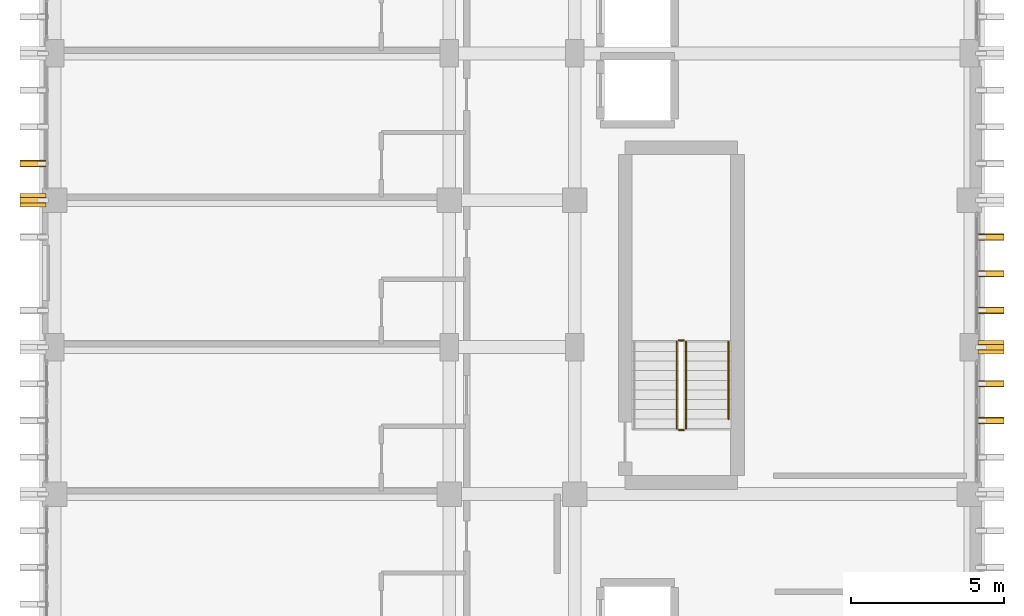
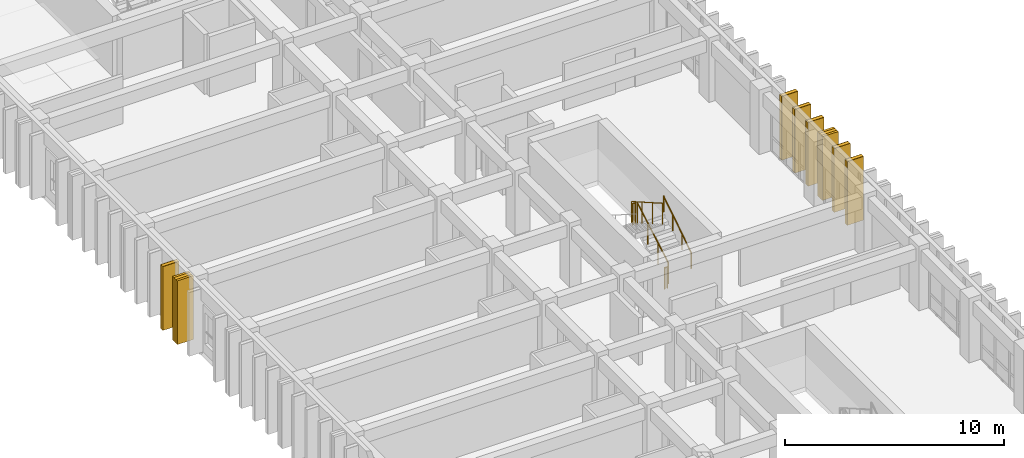
# One storey, part 75 of 82: 8 coverings, 8 shading devices, 5 railings.
"""IFC4 building model written with IfcOpenShell, lengths in metres."""

import ifcopenshell
import ifcopenshell.guid

model = None  # the IFC model being written
_history = None  # IfcOwnerHistory: only IFC2X3 demands one
_inside = {}  # id of a spatial element -> (the spatial element, [elements in it])
_under = {}  # id of a project, library or spatial element -> (it, [spatial elements below it])
_declared = {}  # id of a project -> (the project, [libraries it declares])
_typed = {}  # id of a type object -> (the type object, [elements of that type])
_made_of = {}  # id of a material, layer set ... -> (it, [elements and type objects made of it])


def new_model(schema):
    """Start an empty IFC model of exactly this schema.

    Asked for "IFC4X3", IfcOpenShell would pick the latest addendum, in which some entities
    have other attributes; the version numbers below select the first issue.
    IFC2X3 requires an IfcOwnerHistory on every rooted entity: one is made here for all.
    """
    global model, _history
    if schema == "IFC4X3":
        model = ifcopenshell.file(schema_version=(4, 3, 0, 0))
    else:
        model = ifcopenshell.file(schema=schema)
    _inside.clear()
    _under.clear()
    _declared.clear()
    _typed.clear()
    _made_of.clear()
    _history = None
    if model.schema == "IFC2X3":
        org = make("IfcOrganization", Name="unknown")
        user = make(
            "IfcPersonAndOrganization",
            ThePerson=make("IfcPerson", FamilyName="unknown"),
            TheOrganization=org,
        )
        app = make(
            "IfcApplication",
            ApplicationDeveloper=org,
            Version="unknown",
            ApplicationFullName="unknown",
            ApplicationIdentifier="unknown",
        )
        _history = make(
            "IfcOwnerHistory",
            OwningUser=user,
            OwningApplication=app,
            ChangeAction="ADDED",
            CreationDate=0,
        )
    return model


def make(cls, **values):
    """One entity of the class cls with the attributes given. An attribute that is None is left unset."""
    return model.create_entity(
        cls, **{name: value for name, value in values.items() if value is not None}
    )


def rooted(cls, **values):
    """An entity with a GlobalId (a new one), such as an element, a storey or a relation."""
    return make(cls, GlobalId=ifcopenshell.guid.new(), OwnerHistory=_history, **values)


def si_unit(unit_type, name, prefix=None):
    """IfcSIUnit, for example si_unit("LENGTHUNIT", "METRE", prefix="MILLI")."""
    return make("IfcSIUnit", UnitType=unit_type, Prefix=prefix, Name=name)


def assignment(units):
    """IfcUnitAssignment: the units of a project."""
    return None if units is None else make("IfcUnitAssignment", Units=units)


def point(xyz):
    """IfcCartesianPoint."""
    return None if xyz is None else make("IfcCartesianPoint", Coordinates=xyz)


def direction(xyz):
    """IfcDirection."""
    return None if xyz is None else make("IfcDirection", DirectionRatios=xyz)


def frame(location, z_axis=None, x_axis=None):
    """IfcAxis2Placement3D, a coordinate frame: its origin and axes. An axis left out is left unset."""
    return make(
        "IfcAxis2Placement3D",
        Location=point(location),
        Axis=direction(z_axis),
        RefDirection=direction(x_axis),
    )


def frame_2d(location, x_axis=None):
    """IfcAxis2Placement2D, a coordinate frame in the plane: its origin and x axis."""
    return make(
        "IfcAxis2Placement2D", Location=point(location), RefDirection=direction(x_axis)
    )


def origin():
    """The frame at (0, 0, 0) with its axes left unset."""
    return frame((0.0, 0.0, 0.0))


def origin_2d():
    """The frame at (0, 0) in the plane with its x axis left unset."""
    return frame_2d((0.0, 0.0))


def place(relative_to, where):
    """IfcLocalPlacement: puts the frame where relative to a parent placement (None: the world)."""
    return make(
        "IfcLocalPlacement", PlacementRelTo=relative_to, RelativePlacement=where
    )


def context(
    kind, dimensions, precision=None, world=None, true_north=None, identifier=None
):
    """IfcGeometricRepresentationContext, for example the 3D "Model" context."""
    return make(
        "IfcGeometricRepresentationContext",
        ContextIdentifier=identifier,
        ContextType=kind,
        CoordinateSpaceDimension=dimensions,
        Precision=precision,
        WorldCoordinateSystem=world,
        TrueNorth=true_north,
    )


def subcontext(parent, identifier, kind, view, scale=None):
    """IfcGeometricRepresentationSubContext, for example "Body" below "Model"."""
    return make(
        "IfcGeometricRepresentationSubContext",
        ContextIdentifier=identifier,
        ContextType=kind,
        ParentContext=parent,
        TargetScale=scale,
        TargetView=view,
    )


def project(units=None, contexts=None):
    """IfcProject with its units and contexts."""
    return rooted(
        "IfcProject",
        Name="project",
        RepresentationContexts=contexts,
        UnitsInContext=assignment(units),
    )


def spatial(cls, under=None, at=None, **own):
    """A site, building, storey or space (cls), placed at a placement, below another one or the project."""
    s = rooted(cls, ObjectPlacement=at, **own)
    if under is not None:
        _under.setdefault(under.id(), (under, []))[1].append(s)
    return s


def profile(cls, at=None, kind="AREA", **sizes):
    """A parametric profile (cls). Its sizes go by their IFC names, for example OverallWidth=200.0."""
    return make(cls, ProfileType=kind, Position=at, **sizes)


def rectangle(**sizes):
    """IfcRectangleProfileDef."""
    return profile("IfcRectangleProfileDef", **sizes)


def circle(**sizes):
    """IfcCircleProfileDef."""
    return profile("IfcCircleProfileDef", **sizes)


def extrude(swept, where, along, depth):
    """IfcExtrudedAreaSolid: the profile swept, set in the frame where, extruded along a direction by depth."""
    return make(
        "IfcExtrudedAreaSolid",
        SweptArea=swept,
        Position=where,
        ExtrudedDirection=direction(along),
        Depth=depth,
    )


def shape(context_of_items, identifier, shape_type, items):
    """IfcShapeRepresentation: the items that make up one representation, for example the "Body"."""
    return make(
        "IfcShapeRepresentation",
        ContextOfItems=context_of_items,
        RepresentationIdentifier=identifier,
        RepresentationType=shape_type,
        Items=items,
    )


def material(Name=None, Category=None):
    """IfcMaterial."""
    return make("IfcMaterial", Name=Name, Category=Category)


def layer(
    of_material, thickness, ventilated=None, Name=None, Category=None, Priority=None
):
    """IfcMaterialLayer: one layer of a wall or slab, of a material (None: an air gap)."""
    return make(
        "IfcMaterialLayer",
        Material=of_material,
        LayerThickness=thickness,
        IsVentilated=ventilated,
        Name=Name,
        Category=Category,
        Priority=Priority,
    )


def layer_set(layers, Name=None):
    """IfcMaterialLayerSet."""
    return make("IfcMaterialLayerSet", MaterialLayers=layers, LayerSetName=Name)


def made_of(thing, what):
    """Note that an element or type object is made of a material, layer set ...; save() writes the relation."""
    if what is not None:
        _made_of.setdefault(what.id(), (what, []))[1].append(thing)
    return thing


def type_object(cls, material=None, **own):
    """A type object (cls), such as IfcWallType, which elements share."""
    return made_of(rooted(cls, **own), material)


def element(
    cls,
    number,
    at=None,
    inside=None,
    cuts=None,
    type_object=None,
    material=None,
    context=None,
    identifier="Body",
    shape_type=None,
    held_by="IfcProductDefinitionShape",
    body=None,
    shapes=None,
    **own,
):
    """One element of the class cls, such as IfcWall. Its Tag is "e" and its number.

    at: its placement. inside: the storey or other place that contains it. cuts: it is an
    opening in that element (IfcRelVoidsElement). A single representation is given by context,
    identifier, shape_type and body (its items); several are given by shapes. held_by: the class
    of the entity that holds the representations. save() writes the other relations.
    """
    e = rooted(cls, Tag="e%d" % number, ObjectPlacement=at, **own)
    if body is not None:
        shapes = [shape(context, identifier, shape_type, body)]
    if shapes is not None:
        e.Representation = make(held_by, Representations=shapes)
    if inside is not None:
        _inside.setdefault(inside.id(), (inside, []))[1].append(e)
    if cuts is not None:
        rooted(
            "IfcRelVoidsElement", RelatingBuildingElement=cuts, RelatedOpeningElement=e
        )
    if type_object is not None:
        _typed.setdefault(type_object.id(), (type_object, []))[1].append(e)
    return made_of(e, material)


def aggregate(whole, parts):
    """IfcRelAggregates: a whole, such as a stair, and the parts it consists of."""
    return rooted("IfcRelAggregates", RelatingObject=whole, RelatedObjects=parts)


def save(model, path):
    """Write the relations noted so far, then the file.

    IfcRelAggregates (storeys below a building ...), IfcRelContainedInSpatialStructure (elements
    in a storey), IfcRelDefinesByType, IfcRelAssociatesMaterial and IfcRelDeclares: one each for
    every whole, place, type object, material and project.
    """
    for whole, parts in _under.values():
        aggregate(whole, parts)
    for where, things in _inside.values():
        rooted(
            "IfcRelContainedInSpatialStructure",
            RelatedElements=things,
            RelatingStructure=where,
        )
    for kind, things in _typed.values():
        rooted("IfcRelDefinesByType", RelatedObjects=things, RelatingType=kind)
    for what, things in _made_of.values():
        rooted("IfcRelAssociatesMaterial", RelatedObjects=things, RelatingMaterial=what)
    for by, libraries in _declared.values():
        rooted("IfcRelDeclares", RelatingContext=by, RelatedDefinitions=libraries)
    model.write(path)


model = new_model("IFC4")

# Units and contexts
model_context = context("Model", 3, precision=1e-05, world=origin(), true_north=direction((0.0, 1.0)))
body_context = subcontext(model_context, "Body", "Model", "MODEL_VIEW")
ifc_project = project(units=[si_unit("LENGTHUNIT", "METRE"), si_unit("AREAUNIT", "SQUARE_METRE"), si_unit("VOLUMEUNIT", "CUBIC_METRE"), si_unit("PLANEANGLEUNIT", "RADIAN"), si_unit("MASSUNIT", "GRAM", prefix="KILO")], contexts=[model_context])

# Site, building, storey
site_placement = place(None, origin())
site = spatial("IfcSite", under=ifc_project, at=site_placement, CompositionType="ELEMENT")
building_placement = place(site_placement, origin())
building = spatial("IfcBuilding", under=site, at=building_placement, Name="Nakhvara Creek Congress Hotel", CompositionType="ELEMENT")
storey_placement = place(building_placement, frame((0.0, 0.0, 21.0)))
storey = spatial("IfcBuildingStorey", under=building, at=storey_placement, Name="L04", CompositionType="ELEMENT", Elevation=21.0)

# Coverings
ifc_material_1 = material(Name="Honed pale Omani limestone architectural cladding", Category="masonry")
ifc_layer = layer(ifc_material_1, 0.219970703125)
ifc_layer_set = layer_set([ifc_layer], Name="Honed pale Omani limestone architectural cladding")
covering_type = type_object("IfcCoveringType", Name="COV-FIN-850", PredefinedType="CLADDING", material=ifc_layer_set)
for number, where, z_axis, x_axis, name in (
    (1, (180.054931640625, 50.39990234375, 0.0), (0.0, 0.0, 1.0), (0.0, 1.0, 0.0), "Pale Limestone Fin Cladding CF01-1251"),
    (2, (180.054931640625, 51.60009765625, 0.0), (0.0, 0.0, 1.0), (0.0, 1.0, 0.0), "Pale Limestone Fin Cladding CF01-1253"),
):
    element("IfcCovering", number, at=place(storey_placement, frame(where, z_axis=z_axis, x_axis=x_axis)), inside=storey, type_object=covering_type, Name=name, PredefinedType="CLADDING", context=body_context, shape_type="SweptSolid", body=[
        extrude(rectangle(XDim=0.219970703125, YDim=0.85009765625, at=origin_2d()), origin(), (0.0, 0.0, 1.0), 3.56005859375),
    ])
covering_1_placement = place(storey_placement, frame((180.054931640625, 52.800048828125, 0.0), z_axis=(0.0, 0.0, 1.0), x_axis=(0.0, 1.0, 0.0)))
element("IfcCovering", 3, at=covering_1_placement, inside=storey, type_object=covering_type, Name="Pale Limestone Fin Cladding CF01-1255", PredefinedType="CLADDING", context=body_context, shape_type="SweptSolid", body=[
    extrude(rectangle(XDim=0.43994140625, YDim=0.85009765625, at=origin_2d()), origin(), (0.0, 0.0, 1.0), 3.56005859375),
])
for number, where, z_axis, x_axis, name in (
    (4, (180.054931640625, 54.0, 0.0), (0.0, 0.0, 1.0), (0.0, 1.0, 0.0), "Pale Limestone Fin Cladding CF01-1257"),
    (5, (180.054931640625, 55.199951171875, 0.0), (0.0, 0.0, 1.0), (0.0, 1.0, 0.0), "Pale Limestone Fin Cladding CF01-1259"),
    (6, (180.054931640625, 56.39990234375, 0.0), (0.0, 0.0, 1.0), (0.0, 1.0, 0.0), "Pale Limestone Fin Cladding CF01-1260"),
):
    element("IfcCovering", number, at=place(storey_placement, frame(where, z_axis=z_axis, x_axis=x_axis)), inside=storey, type_object=covering_type, Name=name, PredefinedType="CLADDING", context=body_context, shape_type="SweptSolid", body=[
        extrude(rectangle(XDim=0.219970703125, YDim=0.85009765625, at=origin_2d()), origin(), (0.0, 0.0, 1.0), 3.56005859375),
    ])
covering_2_placement = place(storey_placement, frame((148.7451171875, 57.60009765625, 0.0), z_axis=(0.0, 0.0, 1.0), x_axis=(0.0, 1.0, 0.0)))
element("IfcCovering", 7, at=covering_2_placement, inside=storey, type_object=covering_type, Name="Pale Limestone Fin Cladding CF01-1263", PredefinedType="CLADDING", context=body_context, shape_type="SweptSolid", body=[
    extrude(rectangle(XDim=0.43994140625, YDim=0.85009765625, at=origin_2d()), origin(), (0.0, 0.0, 1.0), 3.56005859375),
])
covering_3_placement = place(storey_placement, frame((148.7451171875, 58.800048828125, 0.0), z_axis=(0.0, 0.0, 1.0), x_axis=(0.0, 1.0, 0.0)))
element("IfcCovering", 8, at=covering_3_placement, inside=storey, type_object=covering_type, Name="Pale Limestone Fin Cladding CF01-1265", PredefinedType="CLADDING", context=body_context, shape_type="SweptSolid", body=[
    extrude(rectangle(XDim=0.219970703125, YDim=0.85009765625, at=origin_2d()), origin(), (0.0, 0.0, 1.0), 3.56005859375),
])

# Railings
ifc_material_2 = material(Name="Brushed stainless steel 316L", Category="steel")
railing_type_1 = type_object("IfcRailingType", Name="RL-GUARD-1200", PredefinedType="GUARDRAIL", material=ifc_material_2)
railing_1_placement = place(storey_placement, frame((170.0849609375, 50.139892578125, 0.179931640625)))
element("IfcRailing", 9, at=railing_1_placement, inside=storey, type_object=railing_type_1, Name="L04 ST04 stair guard 1", PredefinedType="GUARDRAIL", context=body_context, shape_type="SweptSolid", body=[
    extrude(circle(Radius=0.02392578125, at=origin_2d()), frame((0.0, 0.0126953125, 1.18310546875), z_axis=(0.0, 0.868243142124, 0.496138938357), x_axis=(-1.0, 0.0, 0.0)), (0.0, 0.0, 1.0), 3.236083984375),
    extrude(circle(Radius=0.02099609375, at=origin_2d()), origin(), (0.0, 0.0, 1.0), 1.1806640625),
    extrude(circle(Radius=0.02099609375, at=origin_2d()), frame((0.0, 0.945068359375, 0.5400390625)), (0.0, 0.0, 1.0), 1.1806640625),
    extrude(circle(Radius=0.02099609375, at=origin_2d()), frame((0.0, 1.89013671875, 1.080078125)), (0.0, 0.0, 1.0), 1.1806640625),
    extrude(circle(Radius=0.02099609375, at=origin_2d()), frame((0.0, 2.835205078125, 1.6201171875)), (0.0, 0.0, 1.0), 1.1806640625),
])
railing_2_placement = place(storey_placement, frame((170.010009765625, 53.02490234375, 1.800048828125)))
element("IfcRailing", 10, at=railing_2_placement, inside=storey, type_object=railing_type_1, Name="L04 ST04 stair guard 2", PredefinedType="GUARDRAIL", context=body_context, shape_type="SweptSolid", body=[
    extrude(circle(Radius=0.02392578125, at=origin_2d()), frame((-0.0146484375, 0.0, 1.17578125), z_axis=(-1.0, 0.0, 0.0), x_axis=(0.0, -1.0, 0.0)), (0.0, 0.0, 1.0), 0.12060546875),
    extrude(circle(Radius=0.02099609375, at=origin_2d()), origin(), (0.0, 0.0, 1.0), 1.1806640625),
    extrude(circle(Radius=0.02099609375, at=origin_2d()), frame((-0.14990234375, 0.0, 0.0)), (0.0, 0.0, 1.0), 1.1806640625),
])
railing_3_placement = place(storey_placement, frame((169.784912109375, 52.97509765625, 1.97998046875)))
element("IfcRailing", 11, at=railing_3_placement, inside=storey, type_object=railing_type_1, Name="L04 ST04 stair guard 3", PredefinedType="GUARDRAIL", context=body_context, shape_type="SweptSolid", body=[
    extrude(circle(Radius=0.02392578125, at=origin_2d()), frame((0.0, -0.0126953125, 1.18310546875), z_axis=(0.0, -0.868243142124, 0.496138938357), x_axis=(1.0, 0.0, 0.0)), (0.0, 0.0, 1.0), 3.236083984375),
    extrude(circle(Radius=0.02099609375, at=origin_2d()), origin(), (0.0, 0.0, 1.0), 1.1806640625),
    extrude(circle(Radius=0.02099609375, at=origin_2d()), frame((0.0, -0.945068359375, 0.5400390625)), (0.0, 0.0, 1.0), 1.1806640625),
    extrude(circle(Radius=0.02099609375, at=origin_2d()), frame((0.0, -1.89013671875, 1.080078125)), (0.0, 0.0, 1.0), 1.1806640625),
    extrude(circle(Radius=0.02099609375, at=origin_2d()), frame((0.0, -2.835205078125, 1.6201171875)), (0.0, 0.0, 1.0), 1.1806640625),
])
railing_4_placement = place(storey_placement, frame((170.010009765625, 50.090087890625, 0.0)))
element("IfcRailing", 12, at=railing_4_placement, inside=storey, type_object=railing_type_1, Name="L04 ST04 stair guard 4", PredefinedType="GUARDRAIL", context=body_context, shape_type="SweptSolid", body=[
    extrude(circle(Radius=0.02392578125, at=origin_2d()), frame((-0.0146484375, 0.0, 1.17578125), z_axis=(-1.0, 0.0, 0.0), x_axis=(0.0, -1.0, 0.0)), (0.0, 0.0, 1.0), 0.12060546875),
    extrude(circle(Radius=0.02099609375, at=origin_2d()), origin(), (0.0, 0.0, 1.0), 1.1806640625),
    extrude(circle(Radius=0.02099609375, at=origin_2d()), frame((-0.14990234375, 0.0, 0.0)), (0.0, 0.0, 1.0), 1.1806640625),
])
railing_type_2 = type_object("IfcRailingType", Name="RL-HAND-900", PredefinedType="HANDRAIL", material=ifc_material_2)
railing_5_placement = place(storey_placement, frame((171.47509765625, 50.455078125, 0.360107421875)))
element("IfcRailing", 13, at=railing_5_placement, inside=storey, type_object=railing_type_2, Name="L04 ST04 stair handrail 1", PredefinedType="HANDRAIL", context=body_context, shape_type="SweptSolid", body=[
    extrude(circle(Radius=0.02392578125, at=origin_2d()), frame((0.0, 0.012451171875, 0.8837890625), z_axis=(0.0, 0.839530876525, 0.54331197977), x_axis=(-1.0, 0.0, 0.0)), (0.0, 0.0, 1.0), 2.972412109375),
    extrude(circle(Radius=0.02099609375, at=origin_2d()), origin(), (0.0, 0.0, 1.0), 0.880615234375),
    extrude(circle(Radius=0.02099609375, at=origin_2d()), frame((0.0, 0.840087890625, 0.543701171875)), (0.0, 0.0, 1.0), 0.880615234375),
    extrude(circle(Radius=0.02099609375, at=origin_2d()), frame((0.0, 1.679931640625, 1.087158203125)), (0.0, 0.0, 1.0), 0.880615234375),
    extrude(circle(Radius=0.02099609375, at=origin_2d()), frame((0.0, 2.52001953125, 1.630859375)), (0.0, 0.0, 1.0), 0.880615234375),
])

# Shading devices
ifc_material_3 = material(Name="Honed pale Omani limestone cladding on stainless steel spine", Category="masonry")
shading_device_type = type_object("IfcShadingDeviceType", Name="SHD-FIN-850X3600", PredefinedType="USERDEFINED", material=ifc_material_3)
for number, where, z_axis, x_axis, name in (
    (14, (180.054931640625, 50.39990234375, 0.0), (0.0, 0.0, 1.0), (0.0, 1.0, 0.0), "Limestone Solar Fin FN01-1116"),
    (15, (180.054931640625, 51.60009765625, 0.0), (0.0, 0.0, 1.0), (0.0, 1.0, 0.0), "Limestone Solar Fin FN01-1118"),
    (16, (180.054931640625, 52.800048828125, 0.0), (0.0, 0.0, 1.0), (0.0, 1.0, 0.0), "Limestone Solar Fin FN01-1120"),
    (17, (180.054931640625, 54.0, 0.0), (0.0, 0.0, 1.0), (0.0, 1.0, 0.0), "Limestone Solar Fin FN01-1122"),
    (18, (180.054931640625, 55.199951171875, 0.0), (0.0, 0.0, 1.0), (0.0, 1.0, 0.0), "Limestone Solar Fin FN01-1124"),
    (19, (180.054931640625, 56.39990234375, 0.0), (0.0, 0.0, 1.0), (0.0, 1.0, 0.0), "Limestone Solar Fin FN01-1125"),
    (20, (148.7451171875, 57.60009765625, 0.0), (0.0, 0.0, 1.0), (0.0, 1.0, 0.0), "Limestone Solar Fin FN01-1128"),
    (21, (148.7451171875, 58.800048828125, 0.0), (0.0, 0.0, 1.0), (0.0, 1.0, 0.0), "Limestone Solar Fin FN01-1130"),
):
    element("IfcShadingDevice", number, at=place(storey_placement, frame(where, z_axis=z_axis, x_axis=x_axis)), inside=storey, type_object=shading_device_type, Name=name, ObjectType="FIN", PredefinedType="USERDEFINED", context=body_context, shape_type="SweptSolid", body=[
        extrude(rectangle(XDim=0.179931640625, YDim=0.85009765625, at=origin_2d()), origin(), (0.0, 0.0, 1.0), 3.56005859375),
    ])

save(model, "model.ifc")
